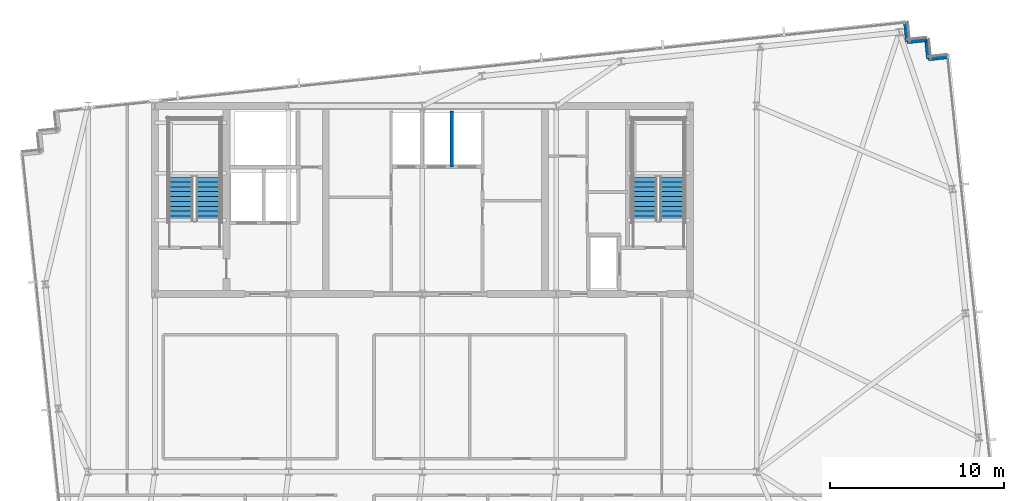
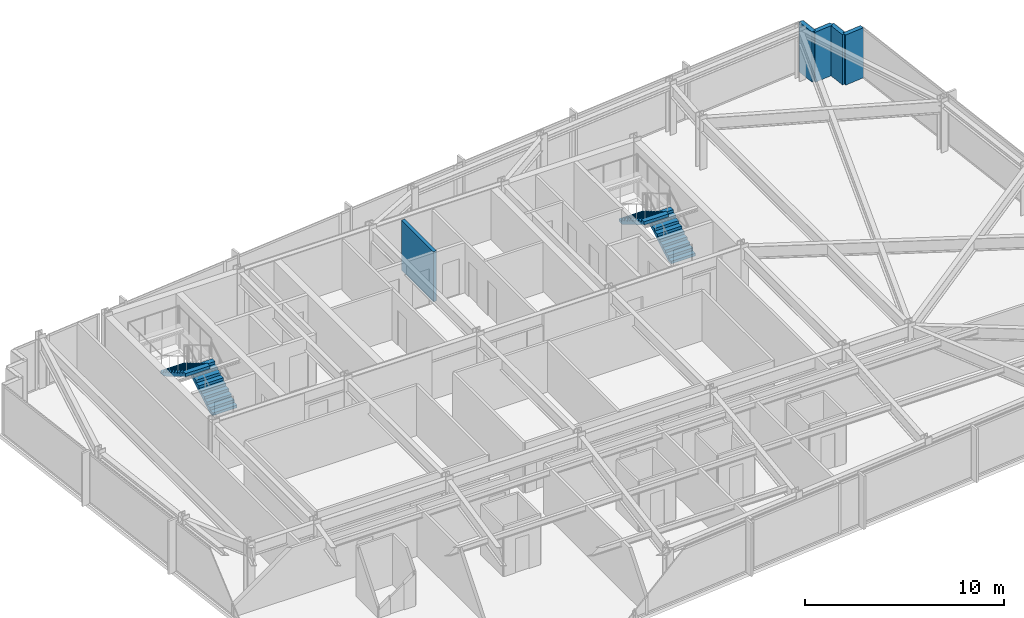
# One storey, part 29 of 33: 5 walls, 4 stair flights, 2 elements without a shape of their own.
"""IFC4 building model written with IfcOpenShell, lengths in metres."""

from ifc_helpers import new_model, si_unit, direction, frame, frame_2d, origin, place, context, subcontext, project, spatial, polyline, rectangle, outline, extrude, material, layer, layer_set, type_object, element, aggregate, save


model = new_model("IFC4")

# Units and contexts
model_context = context("Model", 3, precision=1e-05, world=origin(), true_north=direction((0.0, 1.0)))
body_context = subcontext(model_context, "Body", "Model", "MODEL_VIEW")
ifc_project = project(units=[si_unit("LENGTHUNIT", "METRE"), si_unit("AREAUNIT", "SQUARE_METRE"), si_unit("VOLUMEUNIT", "CUBIC_METRE"), si_unit("PLANEANGLEUNIT", "RADIAN"), si_unit("MASSUNIT", "GRAM", prefix="KILO")], contexts=[model_context])

# Site, building, storey
site_placement = place(None, origin())
site = spatial("IfcSite", under=ifc_project, at=site_placement, CompositionType="ELEMENT")
building_placement = place(site_placement, origin())
building = spatial("IfcBuilding", under=site, at=building_placement, Name="Yelkora Congress Tower", CompositionType="ELEMENT")
storey_placement = place(building_placement, frame((0.0, 0.0, 224.300048828125)))
storey = spatial("IfcBuildingStorey", under=building, at=storey_placement, Name="L62", CompositionType="ELEMENT", Elevation=224.300048828125)

# Walls
ifc_material_1 = material(Name="Concrete C40/50", Category="concrete")
ifc_layer_1 = layer(ifc_material_1, 0.239990234375)
ifc_layer_set_1 = layer_set([ifc_layer_1], Name="Concrete C40/50")
wall_type_1 = type_object("IfcWallType", Name="WALL-EXT-LIMESTONE-240", PredefinedType="SOLIDWALL", material=ifc_layer_set_1)
for number, where, z_axis, x_axis, name in (
    (1, (66.150390625, 50.986572265625, 0.0), (0.0, 0.0, 1.0), (0.104534592565, -0.994521251134, 0.0), "L62 Serrated Corner Limestone Pier 11"),
    (2, (66.265380859375, 49.892578125, 0.0), (0.0, 0.0, 1.0), (0.994521251134, 0.104534592565, 0.0), "L62 Serrated Corner Limestone Pier 12"),
    (3, (67.359375, 50.007568359375, 0.0), (0.0, 0.0, 1.0), (0.104534592565, -0.994521251134, 0.0), "L62 Serrated Corner Limestone Pier 13"),
    (4, (67.474365234375, 48.91357421875, 0.0), (0.0, 0.0, 1.0), (0.994521251134, 0.104534592565, 0.0), "L62 Serrated Corner Limestone Pier 14"),
):
    element("IfcWall", number, at=place(storey_placement, frame(where, z_axis=z_axis, x_axis=x_axis)), inside=storey, type_object=wall_type_1, Name=name, PredefinedType="SOLIDWALL", context=body_context, shape_type="SweptSolid", body=[
        extrude(rectangle(XDim=1.10009765625, YDim=0.239990234375, at=frame_2d((0.550048828125, 0.0))), origin(), (0.0, 0.0, 1.0), 3.079833984375),
    ])
ifc_material_2 = material(Name="Autoclaved aerated concrete blockwork", Category="masonry")
ifc_layer_2 = layer(ifc_material_2, 0.199951171875)
ifc_layer_set_2 = layer_set([ifc_layer_2], Name="Autoclaved aerated concrete blockwork")
wall_type_2 = type_object("IfcWallType", Name="WALL-INT-200-R120", PredefinedType="PARTITIONING", material=ifc_layer_set_2)
wall_placement = place(storey_placement, frame((40.10009765625, 42.699951171875, 0.0), z_axis=(0.0, 0.0, 1.0), x_axis=(0.0, 1.0, 0.0)))
element("IfcWall", 5, at=wall_placement, inside=storey, type_object=wall_type_2, Name="L62 Partition Wall 10", PredefinedType="PARTITIONING", context=body_context, shape_type="SweptSolid", body=[
    extrude(rectangle(XDim=3.219970703125, YDim=0.199951171875, at=frame_2d((1.60986328125, 0.0))), origin(), (0.0, 0.0, 1.0), 3.079833984375),
])

# Stair, stair flights
stair_type = type_object("IfcStairType", Name="STAIR-HT-1420-R20-165", PredefinedType="HALF_TURN_STAIR", material=ifc_material_1)
stair_1_placement = place(storey_placement, origin())
stair_1 = element("IfcStair", 6, at=stair_1_placement, inside=storey, type_object=stair_type, Name="West Core Protected Exit Stair ST-01 (L62)", PredefinedType="HALF_TURN_STAIR")
stair_flight_type = type_object("IfcStairFlightType", Name="FLIGHT-1420-N10-R165-G280", PredefinedType="STRAIGHT", material=ifc_material_1)
stair_flight_1_placement = place(storey_placement, frame((26.110107421875, 39.60009765625, 0.0), z_axis=(0.0, 0.0, 1.0), x_axis=(0.0, 1.0, 0.0)))
stair_flight_1 = element("IfcStairFlight", 7, at=stair_flight_1_placement, type_object=stair_flight_type, Name="ST-01 L62 Flight 1", NumberOfRisers=10, NumberOfTreads=9, PredefinedType="STRAIGHT", RiserHeight=0.165, TreadLength=0.28, context=body_context, shape_type="SweptSolid", body=[
    extrude(outline(polyline([(0.0, 0.0), (0.0, 0.1650390625), (0.280029296875, 0.1650390625), (0.280029296875, 0.330078125), (0.56005859375, 0.330078125), (0.56005859375, 0.4951171875), (0.840087890625, 0.4951171875), (0.840087890625, 0.659912109375), (1.1201171875, 0.659912109375), (1.1201171875, 0.824951171875), (1.39990234375, 0.824951171875), (1.39990234375, 0.989990234375), (1.679931640625, 0.989990234375), (1.679931640625, 1.155029296875), (1.9599609375, 1.155029296875), (1.9599609375, 1.320068359375), (2.239990234375, 1.320068359375), (2.239990234375, 1.485107421875), (2.52001953125, 1.485107421875), (2.52001953125, 1.64990234375), (2.52001953125, 1.29931640625), (0.31494140625, 0.0), (0.0, 0.0)])), frame((0.0, 0.7099609375, 0.0), z_axis=(0.0, -1.0, 0.0), x_axis=(1.0, 0.0, 0.0)), (0.0, 0.0, 1.0), 1.419921875),
])
stair_flight_2_placement = place(storey_placement, frame((24.530029296875, 42.1201171875, 1.64990234375), z_axis=(0.0, 0.0, 1.0), x_axis=(0.0, -1.0, 0.0)))
stair_flight_2 = element("IfcStairFlight", 8, at=stair_flight_2_placement, type_object=stair_flight_type, Name="ST-01 L62 Flight 2", NumberOfRisers=10, NumberOfTreads=9, PredefinedType="STRAIGHT", RiserHeight=0.165, TreadLength=0.28, context=body_context, shape_type="SweptSolid", body=[
    extrude(outline(polyline([(0.0, 0.0), (0.0, 0.1650390625), (0.280029296875, 0.1650390625), (0.280029296875, 0.330078125), (0.56005859375, 0.330078125), (0.56005859375, 0.4951171875), (0.840087890625, 0.4951171875), (0.840087890625, 0.659912109375), (1.1201171875, 0.659912109375), (1.1201171875, 0.824951171875), (1.39990234375, 0.824951171875), (1.39990234375, 0.989990234375), (1.679931640625, 0.989990234375), (1.679931640625, 1.155029296875), (1.9599609375, 1.155029296875), (1.9599609375, 1.320068359375), (2.239990234375, 1.320068359375), (2.239990234375, 1.485107421875), (2.52001953125, 1.485107421875), (2.52001953125, 1.64990234375), (2.52001953125, 1.29931640625), (0.31494140625, 0.0), (0.0, 0.0)])), frame((0.0, 0.7099609375, 0.0), z_axis=(0.0, -1.0, 0.0), x_axis=(1.0, 0.0, 0.0)), (0.0, 0.0, 1.0), 1.419921875),
])
aggregate(stair_1, [stair_flight_1, stair_flight_2])

stair_2_placement = place(storey_placement, origin())
stair_2 = element("IfcStair", 9, at=stair_2_placement, inside=storey, type_object=stair_type, Name="East Core Protected Exit Stair ST-02 (L62)", PredefinedType="HALF_TURN_STAIR")
stair_flight_3_placement = place(storey_placement, frame((52.75, 39.60009765625, 0.0), z_axis=(0.0, 0.0, 1.0), x_axis=(0.0, 1.0, 0.0)))
stair_flight_3 = element("IfcStairFlight", 10, at=stair_flight_3_placement, type_object=stair_flight_type, Name="ST-02 L62 Flight 1", NumberOfRisers=10, NumberOfTreads=9, PredefinedType="STRAIGHT", RiserHeight=0.165, TreadLength=0.28, context=body_context, shape_type="SweptSolid", body=[
    extrude(outline(polyline([(0.0, 0.0), (0.0, 0.1650390625), (0.280029296875, 0.1650390625), (0.280029296875, 0.330078125), (0.56005859375, 0.330078125), (0.56005859375, 0.4951171875), (0.840087890625, 0.4951171875), (0.840087890625, 0.659912109375), (1.1201171875, 0.659912109375), (1.1201171875, 0.824951171875), (1.39990234375, 0.824951171875), (1.39990234375, 0.989990234375), (1.679931640625, 0.989990234375), (1.679931640625, 1.155029296875), (1.9599609375, 1.155029296875), (1.9599609375, 1.320068359375), (2.239990234375, 1.320068359375), (2.239990234375, 1.485107421875), (2.52001953125, 1.485107421875), (2.52001953125, 1.64990234375), (2.52001953125, 1.29931640625), (0.31494140625, 0.0), (0.0, 0.0)])), frame((0.0, 0.7099609375, 0.0), z_axis=(0.0, -1.0, 0.0), x_axis=(1.0, 0.0, 0.0)), (0.0, 0.0, 1.0), 1.419921875),
])
stair_flight_4_placement = place(storey_placement, frame((51.169921875, 42.1201171875, 1.64990234375), z_axis=(0.0, 0.0, 1.0), x_axis=(0.0, -1.0, 0.0)))
stair_flight_4 = element("IfcStairFlight", 11, at=stair_flight_4_placement, type_object=stair_flight_type, Name="ST-02 L62 Flight 2", NumberOfRisers=10, NumberOfTreads=9, PredefinedType="STRAIGHT", RiserHeight=0.165, TreadLength=0.28, context=body_context, shape_type="SweptSolid", body=[
    extrude(outline(polyline([(0.0, 0.0), (0.0, 0.1650390625), (0.280029296875, 0.1650390625), (0.280029296875, 0.330078125), (0.56005859375, 0.330078125), (0.56005859375, 0.4951171875), (0.840087890625, 0.4951171875), (0.840087890625, 0.659912109375), (1.1201171875, 0.659912109375), (1.1201171875, 0.824951171875), (1.39990234375, 0.824951171875), (1.39990234375, 0.989990234375), (1.679931640625, 0.989990234375), (1.679931640625, 1.155029296875), (1.9599609375, 1.155029296875), (1.9599609375, 1.320068359375), (2.239990234375, 1.320068359375), (2.239990234375, 1.485107421875), (2.52001953125, 1.485107421875), (2.52001953125, 1.64990234375), (2.52001953125, 1.29931640625), (0.31494140625, 0.0), (0.0, 0.0)])), frame((0.0, 0.7099609375, 0.0), z_axis=(0.0, -1.0, 0.0), x_axis=(1.0, 0.0, 0.0)), (0.0, 0.0, 1.0), 1.419921875),
])
aggregate(stair_2, [stair_flight_3, stair_flight_4])

save(model, "model.ifc")
